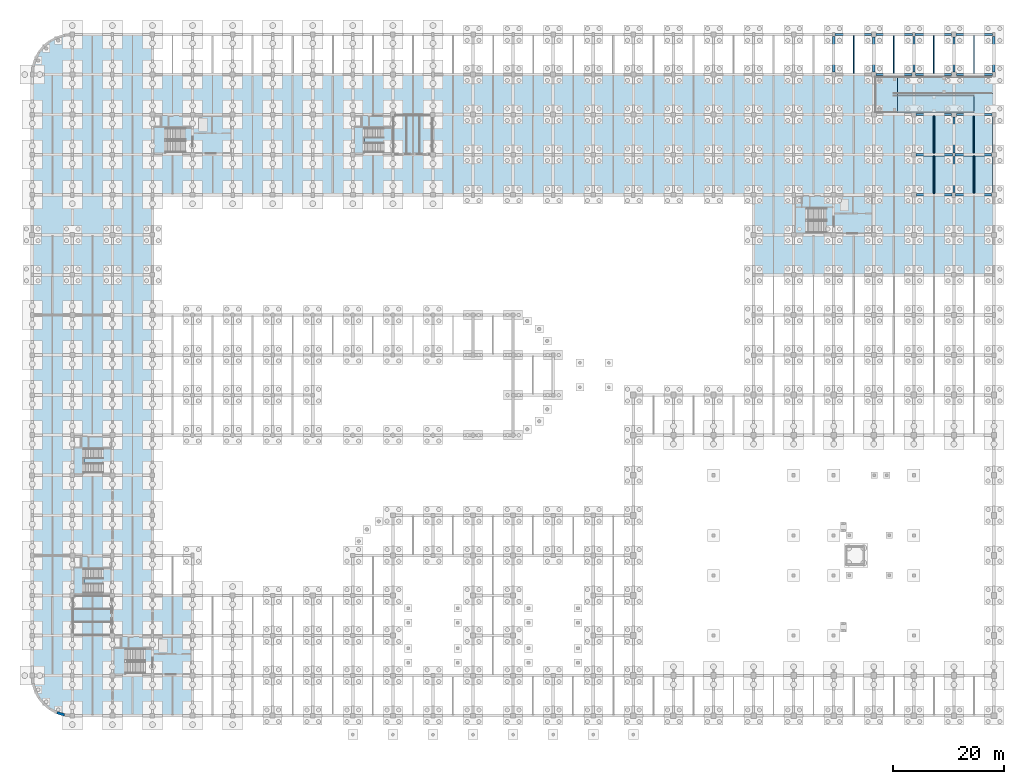
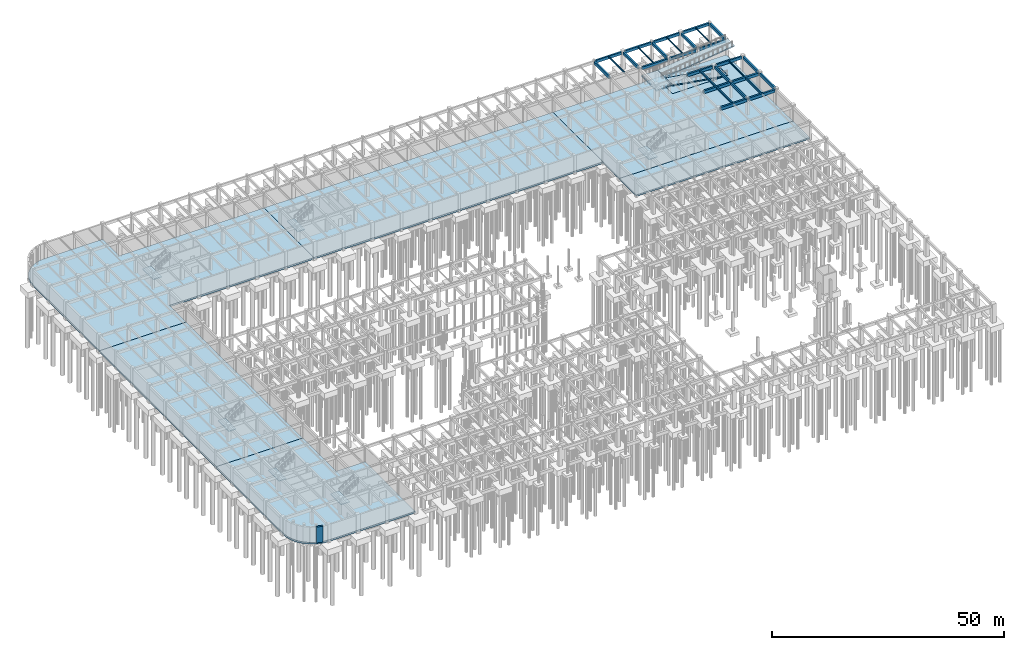
# One storey, part 36 of 47: 30 beams, 16 slabs, 1 wall, 6 elements without a shape of their own.
"""IFC4 building model written with IfcOpenShell, lengths in metres."""

from ifc_helpers import new_model, si_unit, direction, frame, frame_2d, origin, origin_2d, place, context, subcontext, project, spatial, polyline, rectangle, i_section, outline, extrude, material, layer, layer_set, material_profile, profile_set, type_object, element, aggregate, save


model = new_model("IFC4")

# Units and contexts
model_context = context("Model", 3, precision=1e-05, world=origin(), true_north=direction((0.0, 1.0)))
body_context = subcontext(model_context, "Body", "Model", "MODEL_VIEW")
ifc_project = project(units=[si_unit("LENGTHUNIT", "METRE"), si_unit("AREAUNIT", "SQUARE_METRE"), si_unit("VOLUMEUNIT", "CUBIC_METRE"), si_unit("PLANEANGLEUNIT", "RADIAN"), si_unit("MASSUNIT", "GRAM", prefix="KILO")], contexts=[model_context])

# Site, building, storey
site_placement = place(None, origin())
site = spatial("IfcSite", under=ifc_project, at=site_placement, CompositionType="ELEMENT")
building_placement = place(site_placement, origin())
building = spatial("IfcBuilding", under=site, at=building_placement, Name="Thalmaran Polytechnic", CompositionType="ELEMENT")
storey_placement = place(building_placement, frame((0.0, 0.0, -4.5)))
storey = spatial("IfcBuildingStorey", under=building, at=storey_placement, Name="B1", CompositionType="ELEMENT", Elevation=-4.5)

# Beams
ifc_material_1 = material(Name="Concrete C40/50", Category="concrete")
ifc_material_profile_1 = material_profile(ifc_material_1, rectangle(XDim=0.449951171875, YDim=0.75, at=origin_2d()), Name="RC 450x750")
ifc_profile_set_1 = profile_set([ifc_material_profile_1], Name="Concrete C40/50")
beam_type_1 = type_object("IfcBeamType", Name="BM-RC03", PredefinedType="BEAM", material=ifc_profile_set_1)
beam_1_placement = place(storey_placement, frame((158.840087890625, 93.60009765625, 3.81494140625), z_axis=(1.0, 0.0, 0.0), x_axis=(0.0, 1.0, 0.0)))
element("IfcBeam", 1, at=beam_1_placement, inside=storey, type_object=beam_type_1, Name="Grid Beam B03 B1 X(22,13)", PredefinedType="BEAM", context=body_context, shape_type="SweptSolid", body=[
    extrude(rectangle(XDim=0.449951171875, YDim=0.75, at=origin_2d()), origin(), (0.0, 0.0, 1.0), 6.4599609375),
])
beam_2_placement = place(storey_placement, frame((158.81005859375, 100.800048828125, 3.81494140625), z_axis=(1.0, 0.0, 0.0), x_axis=(0.0, 1.0, 0.0)))
element("IfcBeam", 2, at=beam_2_placement, inside=storey, type_object=beam_type_1, Name="Grid Beam B03 B1 X(22,14)", PredefinedType="BEAM", context=body_context, shape_type="SweptSolid", body=[
    extrude(rectangle(XDim=0.449951171875, YDim=0.75, at=origin_2d()), origin(), (0.0, 0.0, 1.0), 6.56494140625),
])
ifc_material_profile_2 = material_profile(ifc_material_1, rectangle(XDim=0.39990234375, YDim=0.6298828125, at=origin_2d()), Name="RC 400x630")
ifc_profile_set_2 = profile_set([ifc_material_profile_2], Name="Concrete C40/50")
beam_type_2 = type_object("IfcBeamType", Name="BM-RC07", PredefinedType="BEAM", material=ifc_profile_set_2)
beam_3_placement = place(storey_placement, frame((165.60009765625, 101.125, 3.875), z_axis=(0.0, 1.0, 0.0), x_axis=(-1.0, 0.0, 0.0)))
element("IfcBeam", 3, at=beam_3_placement, inside=storey, type_object=beam_type_2, Name="Grid Beam B07 B1 Y(23,14)", PredefinedType="BEAM", context=body_context, shape_type="SweptSolid", body=[
    extrude(rectangle(XDim=0.39990234375, YDim=0.6298828125, at=origin_2d()), origin(), (0.0, 0.0, 1.0), 6.425048828125),
])
ifc_material_profile_3 = material_profile(ifc_material_1, rectangle(XDim=0.389892578125, YDim=0.68505859375, at=origin_2d()), Name="RC 390x685")
ifc_profile_set_3 = profile_set([ifc_material_profile_3], Name="Concrete C40/50")
beam_type_3 = type_object("IfcBeamType", Name="BM-RC08", PredefinedType="BEAM", material=ifc_profile_set_3)
beam_4_placement = place(storey_placement, frame((144.0, 115.64990234375, 3.847412109375), z_axis=(0.0, 1.0, 0.0), x_axis=(-1.0, 0.0, 0.0)))
element("IfcBeam", 4, at=beam_4_placement, inside=storey, type_object=beam_type_3, Name="Grid Beam B08 B1 Y(20,16)", PredefinedType="BEAM", context=body_context, shape_type="SweptSolid", body=[
    extrude(rectangle(XDim=0.389892578125, YDim=0.68505859375, at=origin_2d()), origin(), (0.0, 0.0, 1.0), 6.425048828125),
])
beam_5_placement = place(storey_placement, frame((151.199951171875, 115.639892578125, 3.847412109375), z_axis=(0.0, 1.0, 0.0), x_axis=(-1.0, 0.0, 0.0)))
element("IfcBeam", 5, at=beam_5_placement, inside=storey, type_object=beam_type_3, Name="Grid Beam B08 B1 Y(21,16)", PredefinedType="BEAM", context=body_context, shape_type="SweptSolid", body=[
    extrude(rectangle(XDim=0.389892578125, YDim=0.68505859375, at=origin_2d()), origin(), (0.0, 0.0, 1.0), 6.35009765625),
])
beam_6_placement = place(storey_placement, frame((158.39990234375, 115.64990234375, 3.847412109375), z_axis=(0.0, 1.0, 0.0), x_axis=(-1.0, 0.0, 0.0)))
element("IfcBeam", 6, at=beam_6_placement, inside=storey, type_object=beam_type_3, Name="Grid Beam B08 B1 Y(22,16)", PredefinedType="BEAM", context=body_context, shape_type="SweptSolid", body=[
    extrude(rectangle(XDim=0.389892578125, YDim=0.68505859375, at=origin_2d()), origin(), (0.0, 0.0, 1.0), 6.425048828125),
])
beam_7_placement = place(storey_placement, frame((165.60009765625, 115.639892578125, 3.847412109375), z_axis=(0.0, 1.0, 0.0), x_axis=(-1.0, 0.0, 0.0)))
element("IfcBeam", 7, at=beam_7_placement, inside=storey, type_object=beam_type_3, Name="Grid Beam B08 B1 Y(23,16)", PredefinedType="BEAM", context=body_context, shape_type="SweptSolid", body=[
    extrude(rectangle(XDim=0.389892578125, YDim=0.68505859375, at=origin_2d()), origin(), (0.0, 0.0, 1.0), 6.35009765625),
])
ifc_material_profile_4 = material_profile(ifc_material_1, rectangle(XDim=0.389892578125, YDim=0.695068359375, at=origin_2d()), Name="RC 390x695")
ifc_profile_set_4 = profile_set([ifc_material_profile_4], Name="Concrete C40/50")
beam_type_4 = type_object("IfcBeamType", Name="BM-RC10", PredefinedType="BEAM", material=ifc_profile_set_4)
beam_8_placement = place(storey_placement, frame((165.60009765625, 94.050048828125, 3.842529296875), z_axis=(0.0, 1.0, 0.0), x_axis=(-1.0, 0.0, 0.0)))
element("IfcBeam", 8, at=beam_8_placement, inside=storey, type_object=beam_type_4, Name="Grid Beam B10 B1 Y(23,13)", PredefinedType="BEAM", context=body_context, shape_type="SweptSolid", body=[
    extrude(rectangle(XDim=0.389892578125, YDim=0.695068359375, at=origin_2d()), origin(), (0.0, 0.0, 1.0), 6.425048828125),
])
ifc_material_2 = material(Name="Steel S355", Category="steel")
ifc_material_profile_5 = material_profile(ifc_material_2, i_section(OverallWidth=0.159912109375, OverallDepth=0.330078125, WebThickness=0.007568359375, FlangeThickness=0.011474609375, at=origin_2d()), Name="IPE 330")
ifc_profile_set_5 = profile_set([ifc_material_profile_5], Name="Steel S355")
beam_type_5 = type_object("IfcBeamType", Name="BM-SJ02", PredefinedType="JOIST", material=ifc_profile_set_5)
beam_9_placement = place(storey_placement, frame((154.800048828125, 115.39990234375, 4.02490234375), z_axis=(0.0, 1.0, 0.0), x_axis=(-1.0, 0.0, 0.0)))
element("IfcBeam", 9, at=beam_9_placement, inside=storey, type_object=beam_type_5, Name="Secondary Floor Rib SJ02 B1 (21,16)", PredefinedType="JOIST", context=body_context, shape_type="SweptSolid", body=[
    extrude(i_section(OverallWidth=0.159912109375, OverallDepth=0.330078125, WebThickness=0.007568359375, FlangeThickness=0.011474609375, at=origin_2d()), origin(), (0.0, 0.0, 1.0), 6.800048828125),
])
beam_10_placement = place(storey_placement, frame((169.199951171875, 101.030029296875, 4.02490234375), z_axis=(0.0, 1.0, 0.0), x_axis=(-1.0, 0.0, 0.0)))
element("IfcBeam", 10, at=beam_10_placement, inside=storey, type_object=beam_type_5, Name="Secondary Floor Rib SJ02 B1 (23,14)", PredefinedType="JOIST", context=body_context, shape_type="SweptSolid", body=[
    extrude(i_section(OverallWidth=0.159912109375, OverallDepth=0.330078125, WebThickness=0.007568359375, FlangeThickness=0.011474609375, at=origin_2d()), origin(), (0.0, 0.0, 1.0), 6.77001953125),
])
ifc_material_profile_6 = material_profile(ifc_material_2, i_section(OverallWidth=0.135009765625, OverallDepth=0.27001953125, WebThickness=0.006591796875, FlangeThickness=0.01025390625, at=origin_2d()), Name="IPE 270")
ifc_profile_set_6 = profile_set([ifc_material_profile_6], Name="Steel S355")
beam_type_6 = type_object("IfcBeamType", Name="BM-SJ03", PredefinedType="JOIST", material=ifc_profile_set_6)
beam_11_placement = place(storey_placement, frame((162.0, 115.39990234375, 4.054931640625), z_axis=(0.0, 1.0, 0.0), x_axis=(-1.0, 0.0, 0.0)))
element("IfcBeam", 11, at=beam_11_placement, inside=storey, type_object=beam_type_6, Name="Secondary Floor Rib SJ03 B1 (22,16)", PredefinedType="JOIST", context=body_context, shape_type="SweptSolid", body=[
    extrude(i_section(OverallWidth=0.135009765625, OverallDepth=0.27001953125, WebThickness=0.006591796875, FlangeThickness=0.01025390625, at=origin_2d()), origin(), (0.0, 0.0, 1.0), 6.800048828125),
])
ifc_material_profile_7 = material_profile(ifc_material_2, i_section(OverallWidth=0.110107421875, OverallDepth=0.219970703125, WebThickness=0.005859375, FlangeThickness=0.00927734375, at=origin_2d()), Name="IPE 220")
ifc_profile_set_7 = profile_set([ifc_material_profile_7], Name="Steel S355")
beam_type_7 = type_object("IfcBeamType", Name="BM-SJ04", PredefinedType="JOIST", material=ifc_profile_set_7)
beam_12_placement = place(storey_placement, frame((169.199951171875, 115.39990234375, 4.080078125), z_axis=(0.0, 1.0, 0.0), x_axis=(-1.0, 0.0, 0.0)))
element("IfcBeam", 12, at=beam_12_placement, inside=storey, type_object=beam_type_7, Name="Secondary Floor Rib SJ04 B1 (23,16)", PredefinedType="JOIST", context=body_context, shape_type="SweptSolid", body=[
    extrude(i_section(OverallWidth=0.110107421875, OverallDepth=0.219970703125, WebThickness=0.005859375, FlangeThickness=0.00927734375, at=origin_2d()), origin(), (0.0, 0.0, 1.0), 6.800048828125),
])
ifc_material_profile_8 = material_profile(ifc_material_1, rectangle(XDim=0.39990234375, YDim=0.719970703125, at=origin_2d()), Name="RC 400x720")
ifc_profile_set_8 = profile_set([ifc_material_profile_8], Name="Concrete C40/50")
beam_type_8 = type_object("IfcBeamType", Name="BM-SP01", PredefinedType="SPANDREL", material=ifc_profile_set_8)
beam_13_placement = place(storey_placement, frame((144.22509765625, 122.39990234375, 3.830078125), z_axis=(1.0, 0.0, 0.0), x_axis=(0.0, 1.0, 0.0)))
element("IfcBeam", 13, at=beam_13_placement, inside=storey, type_object=beam_type_8, Name="Grid Beam SP01 B1 X(20,17)", PredefinedType="SPANDREL", context=body_context, shape_type="SweptSolid", body=[
    extrude(rectangle(XDim=0.39990234375, YDim=0.719970703125, at=origin_2d()), origin(), (0.0, 0.0, 1.0), 6.56494140625),
])
beam_14_placement = place(storey_placement, frame((151.639892578125, 115.199951171875, 3.830078125), z_axis=(1.0, 0.0, 0.0), x_axis=(0.0, 1.0, 0.0)))
element("IfcBeam", 14, at=beam_14_placement, inside=storey, type_object=beam_type_8, Name="Grid Beam SP01 B1 X(21,16)", PredefinedType="SPANDREL", context=body_context, shape_type="SweptSolid", body=[
    extrude(rectangle(XDim=0.39990234375, YDim=0.719970703125, at=origin_2d()), origin(), (0.0, 0.0, 1.0), 6.460205078125),
])
beam_15_placement = place(storey_placement, frame((151.610107421875, 122.39990234375, 3.830078125), z_axis=(1.0, 0.0, 0.0), x_axis=(0.0, 1.0, 0.0)))
element("IfcBeam", 15, at=beam_15_placement, inside=storey, type_object=beam_type_8, Name="Grid Beam SP01 B1 X(21,17)", PredefinedType="SPANDREL", context=body_context, shape_type="SweptSolid", body=[
    extrude(rectangle(XDim=0.39990234375, YDim=0.719970703125, at=origin_2d()), origin(), (0.0, 0.0, 1.0), 6.56494140625),
])
beam_16_placement = place(storey_placement, frame((158.800048828125, 108.0, 3.830078125), z_axis=(1.0, 0.0, 0.0), x_axis=(0.0, 1.0, 0.0)))
element("IfcBeam", 16, at=beam_16_placement, inside=storey, type_object=beam_type_8, Name="Grid Beam SP01 B1 X(22,15)", PredefinedType="SPANDREL", context=body_context, shape_type="SweptSolid", body=[
    extrude(rectangle(XDim=0.39990234375, YDim=0.719970703125, at=origin_2d()), origin(), (0.0, 0.0, 1.0), 6.349853515625),
])
beam_17_placement = place(storey_placement, frame((158.699951171875, 115.199951171875, 3.830078125), z_axis=(1.0, 0.0, 0.0), x_axis=(0.0, 1.0, 0.0)))
element("IfcBeam", 17, at=beam_17_placement, inside=storey, type_object=beam_type_8, Name="Grid Beam SP01 B1 X(22,16)", PredefinedType="SPANDREL", context=body_context, shape_type="SweptSolid", body=[
    extrude(rectangle(XDim=0.39990234375, YDim=0.719970703125, at=origin_2d()), origin(), (0.0, 0.0, 1.0), 6.4599609375),
])
beam_18_placement = place(storey_placement, frame((158.625, 122.39990234375, 3.830078125), z_axis=(1.0, 0.0, 0.0), x_axis=(0.0, 1.0, 0.0)))
element("IfcBeam", 18, at=beam_18_placement, inside=storey, type_object=beam_type_8, Name="Grid Beam SP01 B1 X(22,17)", PredefinedType="SPANDREL", context=body_context, shape_type="SweptSolid", body=[
    extrude(rectangle(XDim=0.39990234375, YDim=0.719970703125, at=origin_2d()), origin(), (0.0, 0.0, 1.0), 6.56494140625),
])
beam_19_placement = place(storey_placement, frame((166.050048828125, 108.0, 3.830078125), z_axis=(1.0, 0.0, 0.0), x_axis=(0.0, 1.0, 0.0)))
element("IfcBeam", 19, at=beam_19_placement, inside=storey, type_object=beam_type_8, Name="Grid Beam SP01 B1 X(23,15)", PredefinedType="SPANDREL", context=body_context, shape_type="SweptSolid", body=[
    extrude(rectangle(XDim=0.39990234375, YDim=0.719970703125, at=origin_2d()), origin(), (0.0, 0.0, 1.0), 6.349853515625),
])
beam_20_placement = place(storey_placement, frame((166.0400390625, 115.199951171875, 3.830078125), z_axis=(1.0, 0.0, 0.0), x_axis=(0.0, 1.0, 0.0)))
element("IfcBeam", 20, at=beam_20_placement, inside=storey, type_object=beam_type_8, Name="Grid Beam SP01 B1 X(23,16)", PredefinedType="SPANDREL", context=body_context, shape_type="SweptSolid", body=[
    extrude(rectangle(XDim=0.39990234375, YDim=0.719970703125, at=origin_2d()), origin(), (0.0, 0.0, 1.0), 6.4599609375),
])
beam_21_placement = place(storey_placement, frame((166.010009765625, 122.39990234375, 3.830078125), z_axis=(1.0, 0.0, 0.0), x_axis=(0.0, 1.0, 0.0)))
element("IfcBeam", 21, at=beam_21_placement, inside=storey, type_object=beam_type_8, Name="Grid Beam SP01 B1 X(23,17)", PredefinedType="SPANDREL", context=body_context, shape_type="SweptSolid", body=[
    extrude(rectangle(XDim=0.39990234375, YDim=0.719970703125, at=origin_2d()), origin(), (0.0, 0.0, 1.0), 6.56494140625),
])
ifc_material_profile_9 = material_profile(ifc_material_1, rectangle(XDim=0.449951171875, YDim=0.7548828125, at=origin_2d()), Name="RC 450x755")
ifc_profile_set_9 = profile_set([ifc_material_profile_9], Name="Concrete C40/50")
beam_type_9 = type_object("IfcBeamType", Name="BM-SP02", PredefinedType="SPANDREL", material=ifc_profile_set_9)
beam_22_placement = place(storey_placement, frame((172.800048828125, 94.0400390625, 3.8125), z_axis=(0.0, 1.0, 0.0), x_axis=(-1.0, 0.0, 0.0)))
element("IfcBeam", 22, at=beam_22_placement, inside=storey, type_object=beam_type_9, Name="Grid Beam SP02 B1 Y(24,13)", PredefinedType="SPANDREL", context=body_context, shape_type="SweptSolid", body=[
    extrude(rectangle(XDim=0.449951171875, YDim=0.7548828125, at=origin_2d()), origin(), (0.0, 0.0, 1.0), 6.349853515625),
])
beam_23_placement = place(storey_placement, frame((172.800048828125, 101.2099609375, 3.8125), z_axis=(0.0, 1.0, 0.0), x_axis=(-1.0, 0.0, 0.0)))
element("IfcBeam", 23, at=beam_23_placement, inside=storey, type_object=beam_type_9, Name="Grid Beam SP02 B1 Y(24,14)", PredefinedType="SPANDREL", context=body_context, shape_type="SweptSolid", body=[
    extrude(rectangle(XDim=0.449951171875, YDim=0.7548828125, at=origin_2d()), origin(), (0.0, 0.0, 1.0), 6.39013671875),
])
beam_24_placement = place(storey_placement, frame((172.800048828125, 115.64990234375, 3.8125), z_axis=(0.0, 1.0, 0.0), x_axis=(-1.0, 0.0, 0.0)))
element("IfcBeam", 24, at=beam_24_placement, inside=storey, type_object=beam_type_9, Name="Grid Beam SP02 B1 Y(24,16)", PredefinedType="SPANDREL", context=body_context, shape_type="SweptSolid", body=[
    extrude(rectangle(XDim=0.449951171875, YDim=0.7548828125, at=origin_2d()), origin(), (0.0, 0.0, 1.0), 6.425048828125),
])
ifc_material_profile_10 = material_profile(ifc_material_1, rectangle(XDim=0.4599609375, YDim=0.739990234375, at=origin_2d()), Name="RC 460x740")
ifc_profile_set_10 = profile_set([ifc_material_profile_10], Name="Concrete C40/50")
beam_type_10 = type_object("IfcBeamType", Name="BM-ZB02", PredefinedType="BEAM", material=ifc_profile_set_10)
beam_25_placement = place(storey_placement, frame((165.89990234375, 93.60009765625, 3.820068359375), z_axis=(1.0, 0.0, 0.0), x_axis=(0.0, 1.0, 0.0)))
element("IfcBeam", 25, at=beam_25_placement, inside=storey, type_object=beam_type_10, Name="Grid Beam ZB02 B1 X(23,13)", PredefinedType="BEAM", context=body_context, shape_type="SweptSolid", body=[
    extrude(rectangle(XDim=0.4599609375, YDim=0.739990234375, at=origin_2d()), origin(), (0.0, 0.0, 1.0), 6.460205078125),
])
beam_26_placement = place(storey_placement, frame((165.824951171875, 100.800048828125, 3.820068359375), z_axis=(1.0, 0.0, 0.0), x_axis=(0.0, 1.0, 0.0)))
element("IfcBeam", 26, at=beam_26_placement, inside=storey, type_object=beam_type_10, Name="Grid Beam ZB02 B1 X(23,14)", PredefinedType="BEAM", context=body_context, shape_type="SweptSolid", body=[
    extrude(rectangle(XDim=0.4599609375, YDim=0.739990234375, at=origin_2d()), origin(), (0.0, 0.0, 1.0), 6.56494140625),
])
ifc_material_profile_11 = material_profile(ifc_material_1, rectangle(XDim=0.25, YDim=0.419921875, at=origin_2d()), Name="RC 250x420")
ifc_profile_set_11 = profile_set([ifc_material_profile_11], Name="Concrete C40/50")
beam_type_11 = type_object("IfcBeamType", Name="BM-ZJ03", PredefinedType="JOIST", material=ifc_profile_set_11)
beam_27_placement = place(storey_placement, frame((162.0, 93.824951171875, 3.97998046875), z_axis=(0.0, 1.0, 0.0), x_axis=(-1.0, 0.0, 0.0)))
element("IfcBeam", 27, at=beam_27_placement, inside=storey, type_object=beam_type_11, Name="Secondary Floor Rib ZJ03 B1 (22,13)", PredefinedType="JOIST", context=body_context, shape_type="SweptSolid", body=[
    extrude(rectangle(XDim=0.25, YDim=0.419921875, at=origin_2d()), origin(), (0.0, 0.0, 1.0), 6.75),
])
ifc_material_profile_12 = material_profile(ifc_material_1, rectangle(XDim=0.239990234375, YDim=0.39990234375, at=origin_2d()), Name="RC 240x400")
ifc_profile_set_12 = profile_set([ifc_material_profile_12], Name="Concrete C40/50")
beam_type_12 = type_object("IfcBeamType", Name="BM-ZJ04", PredefinedType="JOIST", material=ifc_profile_set_12)
beam_28_placement = place(storey_placement, frame((147.60009765625, 115.449951171875, 3.989990234375), z_axis=(0.0, 1.0, 0.0), x_axis=(-1.0, 0.0, 0.0)))
element("IfcBeam", 28, at=beam_28_placement, inside=storey, type_object=beam_type_12, Name="Secondary Floor Rib ZJ04 B1 (20,16)", PredefinedType="JOIST", context=body_context, shape_type="SweptSolid", body=[
    extrude(rectangle(XDim=0.239990234375, YDim=0.39990234375, at=origin_2d()), origin(), (0.0, 0.0, 1.0), 6.75),
])
beam_29_placement = place(storey_placement, frame((162.0, 101.02490234375, 3.989990234375), z_axis=(0.0, 1.0, 0.0), x_axis=(-1.0, 0.0, 0.0)))
element("IfcBeam", 29, at=beam_29_placement, inside=storey, type_object=beam_type_12, Name="Secondary Floor Rib ZJ04 B1 (22,14)", PredefinedType="JOIST", context=body_context, shape_type="SweptSolid", body=[
    extrude(rectangle(XDim=0.239990234375, YDim=0.39990234375, at=origin_2d()), origin(), (0.0, 0.0, 1.0), 6.775146484375),
])
beam_30_placement = place(storey_placement, frame((169.199951171875, 93.830078125, 3.989990234375), z_axis=(0.0, 1.0, 0.0), x_axis=(-1.0, 0.0, 0.0)))
element("IfcBeam", 30, at=beam_30_placement, inside=storey, type_object=beam_type_12, Name="Secondary Floor Rib ZJ04 B1 (23,13)", PredefinedType="JOIST", context=body_context, shape_type="SweptSolid", body=[
    extrude(rectangle(XDim=0.239990234375, YDim=0.39990234375, at=origin_2d()), origin(), (0.0, 0.0, 1.0), 6.739990234375),
])

# Slabs
ifc_layer_1 = layer(ifc_material_1, 0.449951171875, Name="Concrete C40/50")
ifc_layer_set_1 = layer_set([ifc_layer_1], Name="Concrete C40/50")
slab_type_1 = type_object("IfcSlabType", Name="SL-BS01", PredefinedType="BASESLAB", material=ifc_layer_set_1)
slab_1_placement = place(storey_placement, frame((0.0, 0.0, -0.449951171875)))
element("IfcSlab", 31, at=slab_1_placement, inside=storey, type_object=slab_type_1, Name="V1N B1 Structural Slab", PredefinedType="BASESLAB", context=body_context, shape_type="SweptSolid", body=[
    extrude(outline(polyline([(0.0, 50.39990234375), (0.0, 57.60009765625), (0.0, 64.800048828125), (0.0, 72.0), (0.0, 79.199951171875), (0.0, 86.39990234375), (7.199951171875, 86.39990234375), (14.39990234375, 86.39990234375), (21.60009765625, 86.39990234375), (21.60009765625, 79.199951171875), (21.60009765625, 72.0), (21.60009765625, 64.800048828125), (21.60009765625, 57.60009765625), (21.60009765625, 50.39990234375), (21.60009765625, 43.199951171875), (21.60009765625, 36.0), (14.39990234375, 36.0), (7.199951171875, 36.0), (0.0, 36.0), (0.0, 43.199951171875), (0.0, 50.39990234375)])), origin(), (0.0, 0.0, 1.0), 0.449951171875),
])
slab_2_placement = place(storey_placement, frame((0.0, 0.0, -0.449951171875)))
element("IfcSlab", 32, at=slab_2_placement, inside=storey, type_object=slab_type_1, Name="V1S B1 Structural Slab", PredefinedType="BASESLAB", context=body_context, shape_type="SweptSolid", body=[
    extrude(outline(polyline([(3.199951171875, 1.21337890625), (2.10888671875, 2.10888671875), (1.21337890625, 3.199951171875), (0.548095703125, 4.444580078125), (0.138427734375, 5.79541015625), (0.0, 7.199951171875), (0.0, 14.39990234375), (0.0, 21.60009765625), (0.0, 28.800048828125), (0.0, 36.0), (7.199951171875, 36.0), (14.39990234375, 36.0), (21.60009765625, 36.0), (21.60009765625, 28.800048828125), (21.60009765625, 21.60009765625), (28.800048828125, 21.60009765625), (28.800048828125, 14.39990234375), (28.800048828125, 7.199951171875), (28.800048828125, 0.0), (21.60009765625, 0.0), (14.39990234375, 0.0), (7.199951171875, 0.0), (5.79541015625, 0.138427734375), (4.444580078125, 0.548095703125), (3.199951171875, 1.21337890625)])), origin(), (0.0, 0.0, 1.0), 0.449951171875),
])
slab_3_placement = place(storey_placement, frame((0.0, 0.0, -0.449951171875)))
element("IfcSlab", 33, at=slab_3_placement, inside=storey, type_object=slab_type_1, Name="V2E B1 Structural Slab", PredefinedType="BASESLAB", context=body_context, shape_type="SweptSolid", body=[
    extrude(outline(polyline([(57.60009765625, 115.199951171875), (64.800048828125, 115.199951171875), (72.0, 115.199951171875), (79.199951171875, 115.199951171875), (86.39990234375, 115.199951171875), (93.60009765625, 115.199951171875), (100.800048828125, 115.199951171875), (108.0, 115.199951171875), (115.199951171875, 115.199951171875), (122.39990234375, 115.199951171875), (129.60009765625, 115.199951171875), (129.60009765625, 108.0), (129.60009765625, 100.800048828125), (129.60009765625, 93.60009765625), (122.39990234375, 93.60009765625), (115.199951171875, 93.60009765625), (108.0, 93.60009765625), (100.800048828125, 93.60009765625), (93.60009765625, 93.60009765625), (86.39990234375, 93.60009765625), (79.199951171875, 93.60009765625), (72.0, 93.60009765625), (64.800048828125, 93.60009765625), (57.60009765625, 93.60009765625), (57.60009765625, 100.800048828125), (57.60009765625, 108.0), (57.60009765625, 115.199951171875)])), origin(), (0.0, 0.0, 1.0), 0.449951171875),
])
slab_4_placement = place(storey_placement, frame((0.0, 0.0, -0.449951171875)))
element("IfcSlab", 34, at=slab_4_placement, inside=storey, type_object=slab_type_1, Name="V2W B1 Structural Slab", PredefinedType="BASESLAB", context=body_context, shape_type="SweptSolid", body=[
    extrude(outline(polyline([(0.0, 108.0), (0.0, 115.199951171875), (0.138427734375, 116.604736328125), (0.548095703125, 117.955322265625), (1.21337890625, 119.2001953125), (2.10888671875, 120.291259765625), (3.199951171875, 121.1865234375), (4.444580078125, 121.85205078125), (5.79541015625, 122.26171875), (7.199951171875, 122.39990234375), (14.39990234375, 122.39990234375), (21.60009765625, 122.39990234375), (21.60009765625, 115.199951171875), (28.800048828125, 115.199951171875), (36.0, 115.199951171875), (43.199951171875, 115.199951171875), (50.39990234375, 115.199951171875), (57.60009765625, 115.199951171875), (57.60009765625, 108.0), (57.60009765625, 100.800048828125), (57.60009765625, 93.60009765625), (50.39990234375, 93.60009765625), (43.199951171875, 93.60009765625), (36.0, 93.60009765625), (28.800048828125, 93.60009765625), (21.60009765625, 93.60009765625), (21.60009765625, 86.39990234375), (14.39990234375, 86.39990234375), (7.199951171875, 86.39990234375), (0.0, 86.39990234375), (0.0, 93.60009765625), (0.0, 100.800048828125), (0.0, 108.0)])), origin(), (0.0, 0.0, 1.0), 0.449951171875),
])
slab_5_placement = place(storey_placement, frame((0.0, 0.0, -0.800048828125)))
element("IfcSlab", 35, at=slab_5_placement, inside=storey, type_object=slab_type_1, Name="Vehicle Ramp Lower Pit Base Slab", PredefinedType="BASESLAB", context=body_context, shape_type="SweptSolid", body=[
    extrude(outline(polyline([(155.39990234375, 108.280029296875), (169.25, 108.280029296875), (169.25, 111.52001953125), (155.39990234375, 111.52001953125), (155.39990234375, 108.280029296875)])), origin(), (0.0, 0.0, 1.0), 0.449951171875),
])
ifc_layer_2 = layer(ifc_material_1, 0.39990234375, Name="Concrete C40/50")
ifc_layer_set_2 = layer_set([ifc_layer_2], Name="Concrete C40/50")
slab_type_2 = type_object("IfcSlabType", Name="SL-BS02", PredefinedType="BASESLAB", material=ifc_layer_set_2)
slab_6_placement = place(storey_placement, frame((0.0, 0.0, -0.39990234375)))
element("IfcSlab", 36, at=slab_6_placement, inside=storey, type_object=slab_type_2, Name="V5N B1 Structural Slab", PredefinedType="BASESLAB", context=body_context, shape_type="SweptSolid", body=[
    extrude(outline(polyline([(129.60009765625, 115.199951171875), (136.800048828125, 115.199951171875), (144.0, 115.199951171875), (151.199951171875, 115.199951171875), (158.39990234375, 115.199951171875), (165.60009765625, 115.199951171875), (172.800048828125, 115.199951171875), (172.800048828125, 108.0), (172.800048828125, 100.800048828125), (172.800048828125, 93.60009765625), (172.800048828125, 86.39990234375), (165.60009765625, 86.39990234375), (158.39990234375, 86.39990234375), (151.199951171875, 86.39990234375), (144.0, 86.39990234375), (136.800048828125, 86.39990234375), (129.60009765625, 86.39990234375), (129.60009765625, 93.60009765625), (129.60009765625, 100.800048828125), (129.60009765625, 108.0), (129.60009765625, 115.199951171875)]), holes=[polyline([(169.25, 111.52001953125), (155.39990234375, 111.52001953125), (155.39990234375, 108.280029296875), (169.25, 108.280029296875), (169.25, 111.52001953125)])]), origin(), (0.0, 0.0, 1.0), 0.39990234375),
])
slab_7_placement = place(storey_placement, frame((0.0, 0.0, -0.39990234375)))
element("IfcSlab", 37, at=slab_7_placement, inside=storey, type_object=slab_type_2, Name="V5S B1 Structural Slab", PredefinedType="BASESLAB", context=body_context, shape_type="SweptSolid", body=[
    extrude(outline(polyline([(136.800048828125, 86.39990234375), (144.0, 86.39990234375), (151.199951171875, 86.39990234375), (158.39990234375, 86.39990234375), (165.60009765625, 86.39990234375), (172.800048828125, 86.39990234375), (172.800048828125, 79.199951171875), (165.60009765625, 79.199951171875), (158.39990234375, 79.199951171875), (151.199951171875, 79.199951171875), (144.0, 79.199951171875), (136.800048828125, 79.199951171875), (129.60009765625, 79.199951171875), (129.60009765625, 86.39990234375), (136.800048828125, 86.39990234375)])), origin(), (0.0, 0.0, 1.0), 0.39990234375),
])

# Stair, slab
stair_type = type_object("IfcStairType", Name="ST-HT45", PredefinedType="HALF_TURN_STAIR", material=ifc_material_1)
stair_1_placement = place(storey_placement, origin())
stair_1 = element("IfcStair", 38, at=stair_1_placement, inside=storey, type_object=stair_type, Name="Exit Stair ST1 B1", PredefinedType="HALF_TURN_STAIR")
ifc_layer_3 = layer(ifc_material_1, 0.2099609375, Name="Concrete C40/50")
ifc_layer_set_3 = layer_set([ifc_layer_3], Name="Concrete C40/50")
slab_type_3 = type_object("IfcSlabType", Name="SL-LD01", PredefinedType="LANDING", material=ifc_layer_set_3)
slab_8_placement = place(storey_placement, frame((0.0, 0.0, 2.0400390625)))
slab_8 = element("IfcSlab", 39, at=slab_8_placement, type_object=slab_type_3, Name="ST1 B1 Half Landing", PredefinedType="LANDING", context=body_context, shape_type="SweptSolid", body=[
    extrude(outline(polyline([(14.639892578125, 7.43994140625), (16.800048828125, 7.43994140625), (16.800048828125, 12.139892578125), (14.639892578125, 12.139892578125), (14.639892578125, 7.43994140625)])), origin(), (0.0, 0.0, 1.0), 0.2099609375),
])
aggregate(stair_1, [slab_8])

stair_2_placement = place(storey_placement, origin())
stair_2 = element("IfcStair", 40, at=stair_2_placement, inside=storey, type_object=stair_type, Name="Exit Stair ST2 B1", PredefinedType="HALF_TURN_STAIR")
slab_9_placement = place(storey_placement, frame((0.0, 0.0, 2.0400390625)))
slab_9 = element("IfcSlab", 41, at=slab_9_placement, type_object=slab_type_3, Name="ST2 B1 Half Landing", PredefinedType="LANDING", context=body_context, shape_type="SweptSolid", body=[
    extrude(outline(polyline([(21.840087890625, 101.0400390625), (24.0, 101.0400390625), (24.0, 105.739990234375), (21.840087890625, 105.739990234375), (21.840087890625, 101.0400390625)])), origin(), (0.0, 0.0, 1.0), 0.2099609375),
])
aggregate(stair_2, [slab_9])

stair_3_placement = place(storey_placement, origin())
stair_3 = element("IfcStair", 42, at=stair_3_placement, inside=storey, type_object=stair_type, Name="Exit Stair ST3 B1", PredefinedType="HALF_TURN_STAIR")
slab_10_placement = place(storey_placement, frame((0.0, 0.0, 2.0400390625)))
slab_10 = element("IfcSlab", 43, at=slab_10_placement, type_object=slab_type_3, Name="ST3 B1 Half Landing", PredefinedType="LANDING", context=body_context, shape_type="SweptSolid", body=[
    extrude(outline(polyline([(7.43994140625, 21.840087890625), (9.260009765625, 21.840087890625), (9.260009765625, 26.5400390625), (7.43994140625, 26.5400390625), (7.43994140625, 21.840087890625)])), origin(), (0.0, 0.0, 1.0), 0.2099609375),
])
aggregate(stair_3, [slab_10])

stair_4_placement = place(storey_placement, origin())
stair_4 = element("IfcStair", 44, at=stair_4_placement, inside=storey, type_object=stair_type, Name="Exit Stair ST4 B1", PredefinedType="HALF_TURN_STAIR")
slab_11_placement = place(storey_placement, frame((0.0, 0.0, 2.0400390625)))
slab_11 = element("IfcSlab", 45, at=slab_11_placement, type_object=slab_type_3, Name="ST4 B1 Half Landing", PredefinedType="LANDING", context=body_context, shape_type="SweptSolid", body=[
    extrude(outline(polyline([(7.43994140625, 43.43994140625), (9.260009765625, 43.43994140625), (9.260009765625, 48.139892578125), (7.43994140625, 48.139892578125), (7.43994140625, 43.43994140625)])), origin(), (0.0, 0.0, 1.0), 0.2099609375),
])
aggregate(stair_4, [slab_11])

stair_5_placement = place(storey_placement, origin())
stair_5 = element("IfcStair", 46, at=stair_5_placement, inside=storey, type_object=stair_type, Name="Exit Stair ST5 B1", PredefinedType="HALF_TURN_STAIR")
slab_12_placement = place(storey_placement, frame((0.0, 0.0, 2.0400390625)))
slab_12 = element("IfcSlab", 47, at=slab_12_placement, type_object=slab_type_3, Name="ST5 B1 Half Landing", PredefinedType="LANDING", context=body_context, shape_type="SweptSolid", body=[
    extrude(outline(polyline([(137.0400390625, 86.639892578125), (139.199951171875, 86.639892578125), (139.199951171875, 91.340087890625), (137.0400390625, 91.340087890625), (137.0400390625, 86.639892578125)])), origin(), (0.0, 0.0, 1.0), 0.2099609375),
])
aggregate(stair_5, [slab_12])

stair_6_placement = place(storey_placement, origin())
stair_6 = element("IfcStair", 48, at=stair_6_placement, inside=storey, type_object=stair_type, Name="Exit Stair ST6 B1", PredefinedType="HALF_TURN_STAIR")
slab_13_placement = place(storey_placement, frame((0.0, 0.0, 2.0400390625)))
slab_13 = element("IfcSlab", 49, at=slab_13_placement, type_object=slab_type_3, Name="ST6 B1 Half Landing", PredefinedType="LANDING", context=body_context, shape_type="SweptSolid", body=[
    extrude(outline(polyline([(57.840087890625, 101.0400390625), (59.659912109375, 101.0400390625), (59.659912109375, 105.739990234375), (57.840087890625, 105.739990234375), (57.840087890625, 101.0400390625)])), origin(), (0.0, 0.0, 1.0), 0.2099609375),
])
aggregate(stair_6, [slab_13])

# Slabs
slab_14_placement = place(storey_placement, frame((0.0, 0.0, 1.919921875)))
element("IfcSlab", 50, at=slab_14_placement, inside=storey, type_object=slab_type_3, Name="Vehicular Ramp Half-Turn Structural Landing Slab", PredefinedType="LANDING", context=body_context, shape_type="SweptSolid", body=[
    extrude(outline(polyline([(151.449951171875, 108.35009765625), (155.449951171875, 108.35009765625), (155.449951171875, 114.85009765625), (151.449951171875, 114.85009765625), (151.449951171875, 108.35009765625)])), origin(), (0.0, 0.0, 1.0), 0.330078125),
])
ifc_layer_4 = layer(ifc_material_1, 0.280029296875, Name="Concrete C40/50")
ifc_layer_set_4 = layer_set([ifc_layer_4], Name="Concrete C40/50")
slab_type_4 = type_object("IfcSlabType", Name="SL-VR01", PredefinedType="FLOOR", material=ifc_layer_set_4)
slab_15_placement = place(storey_placement, frame((169.199951171875, 108.35009765625, 0.0), z_axis=(0.161603143361, 0.0, 0.986855827391), x_axis=(-0.986855827391, 0.0, 0.161603143361)))
element("IfcSlab", 51, at=slab_15_placement, inside=storey, type_object=slab_type_4, Name="Vehicular Ramp Lower Structural Slab", PredefinedType="FLOOR", context=body_context, shape_type="SweptSolid", body=[
    extrude(outline(polyline([(0.0, 0.0), (13.922996503652524, 0.0), (13.922996503652524, -3.099853515625), (0.0, -3.099853515625), (0.0, 0.0)])), origin(), (0.0, 0.0, -1.0), 0.280029296875),
])
slab_16_placement = place(storey_placement, frame((155.4599609375, 111.75, 2.25), z_axis=(-0.128241545002, 0.0, 0.991742963744), x_axis=(0.991742963744, 0.0, 0.128241545002)))
element("IfcSlab", 52, at=slab_16_placement, inside=storey, type_object=slab_type_4, Name="Vehicular Ramp Upper Structural Slab", PredefinedType="FLOOR", context=body_context, shape_type="SweptSolid", body=[
    extrude(outline(polyline([(0.0, 0.0), (17.545016320246262, 0.0), (17.545016320246262, 3.10009765625), (0.0, 3.10009765625), (0.0, 0.0)])), origin(), (0.0, 0.0, -1.0), 0.280029296875),
])

# Wall
ifc_layer_5 = layer(ifc_material_1, 0.449951171875, Name="Concrete C40/50")
ifc_layer_set_5 = layer_set([ifc_layer_5], Name="Concrete C40/50")
wall_type = type_object("IfcWallType", Name="WL-RW01", PredefinedType="SOLIDWALL", material=ifc_layer_set_5)
wall_placement = place(storey_placement, frame((5.79541015625, 0.138427734375, 0.0), z_axis=(0.0, 0.0, 1.0), x_axis=(-0.95696037757, 0.290218599957, 0.0)))
element("IfcWall", 53, at=wall_placement, inside=storey, type_object=wall_type, Name="Basement Retaining Wall B1-096", PredefinedType="SOLIDWALL", context=body_context, shape_type="SweptSolid", body=[
    extrude(rectangle(XDim=1.41162109375, YDim=0.449951171875, at=frame_2d((0.705810546875, 0.0))), origin(), (0.0, 0.0, 1.0), 4.169921875),
])

save(model, "model.ifc")
